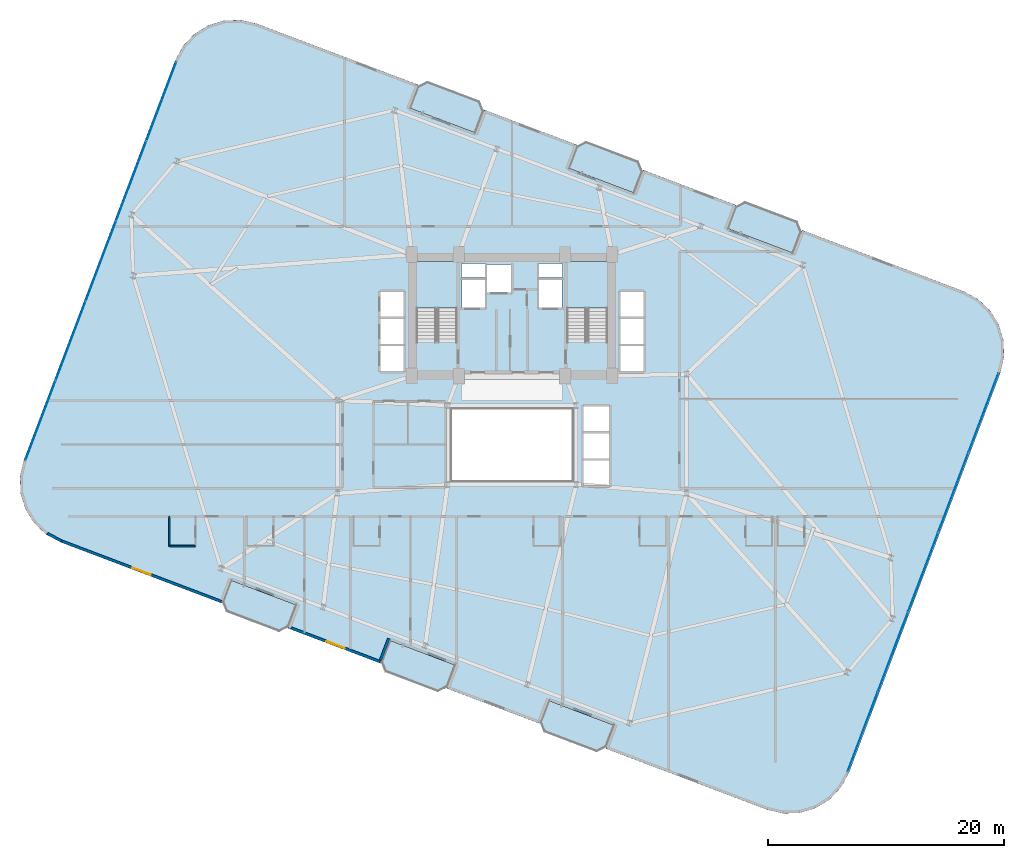
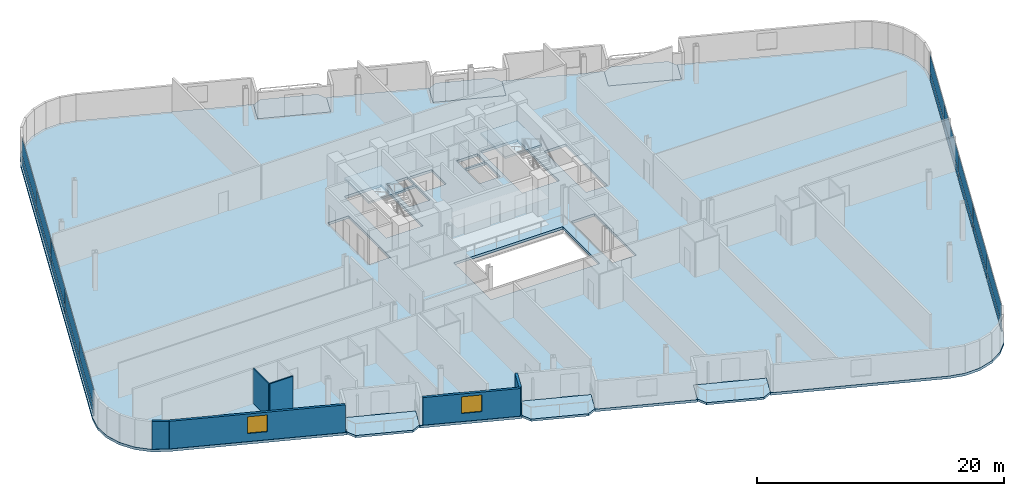
# One storey, part 16 of 25: 20 plates, 9 slabs, 6 walls, 2 windows, 2 openings, 4 elements without a shape of their own.
"""IFC4 building model written with IfcOpenShell, lengths in metres."""

from ifc_helpers import new_model, si_unit, direction, frame, frame_2d, origin, origin_2d, place, context, subcontext, project, spatial, polyline, rectangle, outline, extrude, source, transform, mapped, material, layer, layer_set, type_object, element, fill, aggregate, save


model = new_model("IFC4")

# Units and contexts
model_context = context("Model", 3, precision=1e-05, world=origin(), true_north=direction((0.0, 1.0)))
body_context = subcontext(model_context, "Body", "Model", "MODEL_VIEW")
ifc_project = project(units=[si_unit("LENGTHUNIT", "METRE"), si_unit("AREAUNIT", "SQUARE_METRE"), si_unit("VOLUMEUNIT", "CUBIC_METRE"), si_unit("PLANEANGLEUNIT", "RADIAN"), si_unit("MASSUNIT", "GRAM", prefix="KILO")], contexts=[model_context])

# Site, building, storey
site_placement = place(None, origin())
site = spatial("IfcSite", under=ifc_project, at=site_placement, CompositionType="ELEMENT")
building_placement = place(site_placement, origin())
building = spatial("IfcBuilding", under=site, at=building_placement, Name="Varnelok Gate Tower", CompositionType="ELEMENT")
storey_placement = place(building_placement, frame((0.0, 0.0, 79.89990234375)))
storey = spatial("IfcBuildingStorey", under=building, at=storey_placement, Name="L19", CompositionType="ELEMENT", Elevation=79.89990234375)

# Slabs
ifc_material_1 = material(Name="Concrete C45/55", Category="concrete")
ifc_layer_1 = layer(ifc_material_1, 0.219970703125)
ifc_layer_set_1 = layer_set([ifc_layer_1], Name="Concrete C45/55")
slab_type_1 = type_object("IfcSlabType", Name="SLB-BALC-220", PredefinedType="FLOOR", material=ifc_layer_set_1)
slab_1_placement = place(storey_placement, frame((0.0, 0.0, -0.219970703125)))
element("IfcSlab", 1, at=slab_1_placement, inside=storey, type_object=slab_type_1, Name="L19 South Hollow Balcony 1", PredefinedType="FLOOR", context=body_context, shape_type="SweptSolid", body=[
    extrude(outline(polyline([(14.64208984375, 9.576416015625), (15.019775390625, 8.738525390625), (19.415283203125, 7.074462890625), (20.25341796875, 7.4521484375), (20.96142578125, 9.322509765625), (15.35009765625, 11.447021484375), (14.64208984375, 9.576416015625)])), origin(), (0.0, 0.0, 1.0), 0.219970703125),
])
slab_2_placement = place(storey_placement, frame((0.0, 0.0, -0.219970703125)))
element("IfcSlab", 2, at=slab_2_placement, inside=storey, type_object=slab_type_1, Name="L19 South Hollow Balcony 2", PredefinedType="FLOOR", context=body_context, shape_type="SweptSolid", body=[
    extrude(outline(polyline([(28.109375, 4.47802734375), (28.487060546875, 3.639892578125), (32.882568359375, 1.975830078125), (33.720703125, 2.353515625), (34.4287109375, 4.22412109375), (28.8173828125, 6.348388671875), (28.109375, 4.47802734375)])), origin(), (0.0, 0.0, 1.0), 0.219970703125),
])
slab_3_placement = place(storey_placement, frame((0.0, 0.0, -0.219970703125)))
element("IfcSlab", 3, at=slab_3_placement, inside=storey, type_object=slab_type_1, Name="L19 South Hollow Balcony 3", PredefinedType="FLOOR", context=body_context, shape_type="SweptSolid", body=[
    extrude(outline(polyline([(41.576416015625, -0.62060546875), (41.9541015625, -1.45849609375), (46.349853515625, -3.12255859375), (47.187744140625, -2.744873046875), (47.89599609375, -0.87451171875), (42.28466796875, 1.25), (41.576416015625, -0.62060546875)])), origin(), (0.0, 0.0, 1.0), 0.219970703125),
])
slab_4_placement = place(storey_placement, frame((0.0, 0.0, -0.219970703125)))
element("IfcSlab", 4, at=slab_4_placement, inside=storey, type_object=slab_type_1, Name="L19 North Hollow Balcony 1", PredefinedType="FLOOR", context=body_context, shape_type="SweptSolid", body=[
    extrude(outline(polyline([(30.504150390625, 51.474365234375), (36.115478515625, 49.35009765625), (36.823486328125, 51.220458984375), (36.44580078125, 52.05859375), (32.05029296875, 53.72265625), (31.212158203125, 53.344970703125), (30.504150390625, 51.474365234375)])), origin(), (0.0, 0.0, 1.0), 0.219970703125),
])
slab_5_placement = place(storey_placement, frame((0.0, 0.0, -0.219970703125)))
element("IfcSlab", 5, at=slab_5_placement, inside=storey, type_object=slab_type_1, Name="L19 North Hollow Balcony 2", PredefinedType="FLOOR", context=body_context, shape_type="SweptSolid", body=[
    extrude(outline(polyline([(43.97119140625, 46.3759765625), (49.58251953125, 44.251708984375), (50.290771484375, 46.1220703125), (49.9130859375, 46.9599609375), (45.517333984375, 48.6240234375), (44.679443359375, 48.246337890625), (43.97119140625, 46.3759765625)])), origin(), (0.0, 0.0, 1.0), 0.219970703125),
])
slab_6_placement = place(storey_placement, frame((0.0, 0.0, -0.219970703125)))
element("IfcSlab", 6, at=slab_6_placement, inside=storey, type_object=slab_type_1, Name="L19 North Hollow Balcony 3", PredefinedType="FLOOR", context=body_context, shape_type="SweptSolid", body=[
    extrude(outline(polyline([(57.4384765625, 41.27734375), (63.0498046875, 39.153076171875), (63.7578125, 41.0234375), (63.380126953125, 41.861572265625), (58.984619140625, 43.525634765625), (58.146484375, 43.14794921875), (57.4384765625, 41.27734375)])), origin(), (0.0, 0.0, 1.0), 0.219970703125),
])

# Stair, slab
ifc_material_2 = material(Name="Concrete C50/60", Category="concrete")
stair_type = type_object("IfcStairType", Name="STR-CORE-1650", PredefinedType="HALF_TURN_STAIR", material=ifc_material_2)
stair_1_placement = place(storey_placement, origin())
stair_1 = element("IfcStair", 7, at=stair_1_placement, inside=storey, type_object=stair_type, Name="L19 Exit Stair ST-1", PredefinedType="HALF_TURN_STAIR")
ifc_layer_2 = layer(ifc_material_1, 0.199951171875)
ifc_layer_set_2 = layer_set([ifc_layer_2], Name="Concrete C45/55")
slab_type_2 = type_object("IfcSlabType", Name="SLB-LAND-200", PredefinedType="LANDING", material=ifc_layer_set_2)
slab_7_placement = place(storey_placement, frame((0.0, 0.0, 1.650146484375)))
slab_7 = element("IfcSlab", 8, at=slab_7_placement, type_object=slab_type_2, Name="ST-1 landing 1", PredefinedType="LANDING", context=body_context, shape_type="SweptSolid", body=[
    extrude(outline(polyline([(34.550048828125, 34.5), (34.550048828125, 38.449951171875), (31.10009765625, 38.449951171875), (31.10009765625, 34.5), (34.550048828125, 34.5)])), origin(), (0.0, 0.0, 1.0), 0.199951171875),
])
aggregate(stair_1, [slab_7])

stair_2_placement = place(storey_placement, origin())
stair_2 = element("IfcStair", 9, at=stair_2_placement, inside=storey, type_object=stair_type, Name="L19 Exit Stair ST-2", PredefinedType="HALF_TURN_STAIR")
slab_8_placement = place(storey_placement, frame((0.0, 0.0, 1.650146484375)))
slab_8 = element("IfcSlab", 10, at=slab_8_placement, type_object=slab_type_2, Name="ST-2 landing 1", PredefinedType="LANDING", context=body_context, shape_type="SweptSolid", body=[
    extrude(outline(polyline([(47.300048828125, 34.5), (47.300048828125, 38.449951171875), (43.85009765625, 38.449951171875), (43.85009765625, 34.5), (47.300048828125, 34.5)])), origin(), (0.0, 0.0, 1.0), 0.199951171875),
])
aggregate(stair_2, [slab_8])

# Slab
ifc_layer_3 = layer(ifc_material_2, 0.25)
ifc_layer_set_3 = layer_set([ifc_layer_3], Name="Concrete C50/60")
slab_type_3 = type_object("IfcSlabType", Name="SLB-TYP-250", PredefinedType="FLOOR", material=ifc_layer_set_3)
slab_9_placement = place(storey_placement, frame((0.0, 0.0, -0.25)))
element("IfcSlab", 11, at=slab_9_placement, inside=storey, type_object=slab_type_3, Name="L19 Structural Floor Slab", PredefinedType="FLOOR", context=body_context, shape_type="SweptSolid", body=[
    extrude(outline(polyline([(-2.185791015625, 21.614501953125), (-2.508544921875, 20.2421875), (-2.465087890625, 18.833251953125), (-2.05859375, 17.4833984375), (-1.31640625, 16.284912109375), (-0.28955078125, 15.319091796875), (0.952392578125, 14.65234375), (12.05029296875, 10.45068359375), (14.606689453125, 9.48291015625), (15.35009765625, 11.447021484375), (20.96142578125, 9.322509765625), (20.218017578125, 7.358642578125), (28.073974609375, 4.384521484375), (28.8173828125, 6.348388671875), (34.4287109375, 4.22412109375), (33.685302734375, 2.260009765625), (41.541015625, -0.714111328125), (42.28466796875, 1.25), (47.89599609375, -0.87451171875), (47.15234375, -2.83837890625), (49.708740234375, -3.80615234375), (60.806640625, -8.0078125), (62.1787109375, -8.33056640625), (63.587890625, -8.287109375), (64.937744140625, -7.880615234375), (66.13623046875, -7.138427734375), (67.101806640625, -6.111328125), (67.768798828125, -4.869384765625), (80.585693359375, 28.985595703125), (80.90869140625, 30.35791015625), (80.865234375, 31.766845703125), (80.45849609375, 33.11669921875), (79.716552734375, 34.315185546875), (78.689453125, 35.28076171875), (77.447509765625, 35.94775390625), (66.349609375, 40.1494140625), (63.793212890625, 41.116943359375), (63.0498046875, 39.153076171875), (57.4384765625, 41.27734375), (58.181884765625, 43.241455078125), (50.326171875, 46.215576171875), (49.58251953125, 44.251708984375), (43.97119140625, 46.3759765625), (44.71484375, 48.33984375), (36.85888671875, 51.31396484375), (36.115478515625, 49.35009765625), (30.504150390625, 51.474365234375), (31.24755859375, 53.4384765625), (28.69140625, 54.40625), (17.593505859375, 58.607666015625), (16.22119140625, 58.930419921875), (14.81201171875, 58.886962890625), (13.46240234375, 58.48046875), (12.263916015625, 57.73828125), (11.298095703125, 56.71142578125), (10.631103515625, 55.469482421875), (-2.185791015625, 21.614501953125)]), holes=[polyline([(34.550048828125, 31.679931640625), (34.550048828125, 38.449951171875), (31.10009765625, 38.449951171875), (31.10009765625, 31.679931640625), (34.550048828125, 31.679931640625)]), polyline([(47.300048828125, 31.679931640625), (47.300048828125, 38.449951171875), (43.85009765625, 38.449951171875), (43.85009765625, 31.679931640625), (47.300048828125, 31.679931640625)]), polyline([(34.949951171875, 34.550048828125), (36.89990234375, 34.550048828125), (36.89990234375, 36.89990234375), (34.949951171875, 36.89990234375), (34.949951171875, 34.550048828125)]), polyline([(41.5, 34.550048828125), (43.449951171875, 34.550048828125), (43.449951171875, 36.89990234375), (41.5, 36.89990234375), (41.5, 34.550048828125)]), polyline([(37.050048828125, 35.85009765625), (39.14990234375, 35.85009765625), (39.14990234375, 38.199951171875), (37.050048828125, 38.199951171875), (37.050048828125, 35.85009765625)]), polyline([(28.050048828125, 29.14990234375), (30.050048828125, 29.14990234375), (30.050048828125, 35.89990234375), (28.050048828125, 35.89990234375), (28.050048828125, 29.14990234375)]), polyline([(48.35009765625, 29.14990234375), (50.35009765625, 29.14990234375), (50.35009765625, 35.89990234375), (48.35009765625, 35.89990234375), (48.35009765625, 29.14990234375)]), polyline([(45.25, 19.449951171875), (47.449951171875, 19.449951171875), (47.449951171875, 26.199951171875), (45.25, 26.199951171875), (45.25, 19.449951171875)]), polyline([(34.919921875, 37.080078125), (36.89990234375, 37.080078125), (36.89990234375, 38.280029296875), (34.919921875, 38.280029296875), (34.919921875, 37.080078125)]), polyline([(41.5, 37.080078125), (43.47998046875, 37.080078125), (43.47998046875, 38.280029296875), (41.5, 38.280029296875), (41.5, 37.080078125)]), polyline([(34.10009765625, 19.89990234375), (44.300048828125, 19.89990234375), (44.300048828125, 25.89990234375), (34.10009765625, 25.89990234375), (34.10009765625, 19.89990234375)])]), origin(), (0.0, 0.0, 1.0), 0.25),
])

# Curtain wall, plates
ifc_material_3 = material(Name="Anodized Aluminum Alloy 6063-T6", Category="aluminium")
ifc_layer_4 = layer(ifc_material_3, 0.179931640625)
ifc_layer_set_4 = layer_set([ifc_layer_4], Name="Anodized Aluminum Alloy 6063-T6")
curtain_wall_type = type_object("IfcCurtainWallType", Name="CW3-HOTEL-VISION", PredefinedType="USERDEFINED", material=ifc_layer_set_4)
curtain_wall_1_placement = place(storey_placement, origin())
curtain_wall_1 = element("IfcCurtainWall", 12, at=curtain_wall_1_placement, inside=storey, type_object=curtain_wall_type, Name="L19 West End Vision Curtain Wall", ObjectType="UNITISED CURTAIN WALL", PredefinedType="USERDEFINED")
ifc_material_4 = material(Name="Low-E Laminated Double Glazing IGU", Category="glass")
ifc_layer_5 = layer(ifc_material_4, 0.031982421875)
ifc_layer_set_5 = layer_set([ifc_layer_5], Name="Low-E Laminated Double Glazing IGU")
plate_type = type_object("IfcPlateType", Name="CW-PNL-IGU32", PredefinedType="CURTAIN_PANEL", material=ifc_layer_set_5)
shared_shape_1 = source(origin(), body_context, "Body", "SweptSolid", [
    extrude(rectangle(XDim=7.142578125, YDim=0.031982421875, at=origin_2d()), origin(), (0.0, 0.0, 1.0), 0.802490234375),
])
plate_1_placement = place(storey_placement, frame((-0.767333984375, 24.965576171875, 0.06494140625), z_axis=(0.0, 0.0, 1.0), x_axis=(0.354063660545, 0.935221323688, 0.0)))
plate_1 = element("IfcPlate", 13, at=plate_1_placement, type_object=plate_type, Name="CW3 panel 1.1", PredefinedType="CURTAIN_PANEL", context=body_context, shape_type="MappedRepresentation", body=[
    mapped(shared_shape_1, transform((0.0, 0.0, 0.0), scale=1.0)),
])
plate_2_placement = place(storey_placement, frame((9.474853515625, 52.019287109375, 0.06494140625), z_axis=(0.0, 0.0, 1.0), x_axis=(0.354063660545, 0.935221323688, 0.0)))
plate_2 = element("IfcPlate", 14, at=plate_2_placement, type_object=plate_type, Name="CW3 panel 5.1", PredefinedType="CURTAIN_PANEL", context=body_context, shape_type="MappedRepresentation", body=[
    mapped(shared_shape_1, transform((0.0, 0.0, 0.0), scale=1.0)),
])

curtain_wall_2_placement = place(storey_placement, origin())
curtain_wall_2 = element("IfcCurtainWall", 15, at=curtain_wall_2_placement, inside=storey, type_object=curtain_wall_type, Name="L19 East End Vision Curtain Wall", ObjectType="UNITISED CURTAIN WALL", PredefinedType="USERDEFINED")
plate_3_placement = place(storey_placement, frame((79.16748046875, 25.634521484375, 0.06494140625), z_axis=(0.0, 0.0, 1.0), x_axis=(-0.354063660545, -0.935221323688, 0.0)))
plate_3 = element("IfcPlate", 16, at=plate_3_placement, type_object=plate_type, Name="CW3 panel 1.1", PredefinedType="CURTAIN_PANEL", context=body_context, shape_type="MappedRepresentation", body=[
    mapped(shared_shape_1, transform((0.0, 0.0, 0.0), scale=1.0)),
])
plate_4_placement = place(storey_placement, frame((68.92529296875, -1.419189453125, 0.06494140625), z_axis=(0.0, 0.0, 1.0), x_axis=(-0.354063660545, -0.935221323688, 0.0)))
plate_4 = element("IfcPlate", 17, at=plate_4_placement, type_object=plate_type, Name="CW3 panel 5.1", PredefinedType="CURTAIN_PANEL", context=body_context, shape_type="MappedRepresentation", body=[
    mapped(shared_shape_1, transform((0.0, 0.0, 0.0), scale=1.0)),
])

# Plate
shared_shape_2 = source(origin(), body_context, "Body", "SweptSolid", [
    extrude(rectangle(XDim=7.142578125, YDim=0.031982421875, at=origin_2d()), origin(), (0.0, 0.0, 1.0), 1.732421875),
])
plate_5_placement = place(storey_placement, frame((-0.767333984375, 24.965576171875, 0.9326171875), z_axis=(0.0, 0.0, 1.0), x_axis=(0.354063660545, 0.935221323688, 0.0)))
plate_5 = element("IfcPlate", 18, at=plate_5_placement, type_object=plate_type, Name="CW3 panel 1.2", PredefinedType="CURTAIN_PANEL", context=body_context, shape_type="MappedRepresentation", body=[
    mapped(shared_shape_2, transform((0.0, 0.0, 0.0), scale=1.0)),
])

plate_6_placement = place(storey_placement, frame((9.474853515625, 52.019287109375, 0.9326171875), z_axis=(0.0, 0.0, 1.0), x_axis=(0.354063660545, 0.935221323688, 0.0)))
plate_6 = element("IfcPlate", 19, at=plate_6_placement, type_object=plate_type, Name="CW3 panel 5.2", PredefinedType="CURTAIN_PANEL", context=body_context, shape_type="MappedRepresentation", body=[
    mapped(shared_shape_2, transform((0.0, 0.0, 0.0), scale=1.0)),
])

plate_7_placement = place(storey_placement, frame((79.16748046875, 25.634521484375, 0.9326171875), z_axis=(0.0, 0.0, 1.0), x_axis=(-0.354063660545, -0.935221323688, 0.0)))
plate_7 = element("IfcPlate", 20, at=plate_7_placement, type_object=plate_type, Name="CW3 panel 1.2", PredefinedType="CURTAIN_PANEL", context=body_context, shape_type="MappedRepresentation", body=[
    mapped(shared_shape_2, transform((0.0, 0.0, 0.0), scale=1.0)),
])

plate_8_placement = place(storey_placement, frame((68.92529296875, -1.419189453125, 0.9326171875), z_axis=(0.0, 0.0, 1.0), x_axis=(-0.354063660545, -0.935221323688, 0.0)))
plate_8 = element("IfcPlate", 21, at=plate_8_placement, type_object=plate_type, Name="CW3 panel 5.2", PredefinedType="CURTAIN_PANEL", context=body_context, shape_type="MappedRepresentation", body=[
    mapped(shared_shape_2, transform((0.0, 0.0, 0.0), scale=1.0)),
])

shared_shape_3 = source(origin(), body_context, "Body", "SweptSolid", [
    extrude(rectangle(XDim=7.175048828125, YDim=0.031982421875, at=origin_2d()), origin(), (0.0, 0.0, 1.0), 0.802490234375),
])
plate_9_placement = place(storey_placement, frame((1.790283203125, 31.721435546875, 0.06494140625), z_axis=(0.0, 0.0, 1.0), x_axis=(0.354063660545, 0.935221323688, 0.0)))
plate_9 = element("IfcPlate", 22, at=plate_9_placement, type_object=plate_type, Name="CW3 panel 2.1", PredefinedType="CURTAIN_PANEL", context=body_context, shape_type="MappedRepresentation", body=[
    mapped(shared_shape_3, transform((0.0, 0.0, 0.0), scale=1.0)),
])

plate_10_placement = place(storey_placement, frame((4.353759765625, 38.492431640625, 0.06494140625), z_axis=(0.0, 0.0, 1.0), x_axis=(0.354063660545, 0.935221323688, 0.0)))
plate_10 = element("IfcPlate", 23, at=plate_10_placement, type_object=plate_type, Name="CW3 panel 3.1", PredefinedType="CURTAIN_PANEL", context=body_context, shape_type="MappedRepresentation", body=[
    mapped(shared_shape_3, transform((0.0, 0.0, 0.0), scale=1.0)),
])

plate_11_placement = place(storey_placement, frame((6.9169921875, 45.263427734375, 0.06494140625), z_axis=(0.0, 0.0, 1.0), x_axis=(0.354063660545, 0.935221323688, 0.0)))
plate_11 = element("IfcPlate", 24, at=plate_11_placement, type_object=plate_type, Name="CW3 panel 4.1", PredefinedType="CURTAIN_PANEL", context=body_context, shape_type="MappedRepresentation", body=[
    mapped(shared_shape_3, transform((0.0, 0.0, 0.0), scale=1.0)),
])

plate_12_placement = place(storey_placement, frame((76.60986328125, 18.878662109375, 0.06494140625), z_axis=(0.0, 0.0, 1.0), x_axis=(-0.354063660545, -0.935221323688, 0.0)))
plate_12 = element("IfcPlate", 25, at=plate_12_placement, type_object=plate_type, Name="CW3 panel 2.1", PredefinedType="CURTAIN_PANEL", context=body_context, shape_type="MappedRepresentation", body=[
    mapped(shared_shape_3, transform((0.0, 0.0, 0.0), scale=1.0)),
])

plate_13_placement = place(storey_placement, frame((74.04638671875, 12.107666015625, 0.06494140625), z_axis=(0.0, 0.0, 1.0), x_axis=(-0.354063660545, -0.935221323688, 0.0)))
plate_13 = element("IfcPlate", 26, at=plate_13_placement, type_object=plate_type, Name="CW3 panel 3.1", PredefinedType="CURTAIN_PANEL", context=body_context, shape_type="MappedRepresentation", body=[
    mapped(shared_shape_3, transform((0.0, 0.0, 0.0), scale=1.0)),
])

plate_14_placement = place(storey_placement, frame((71.48291015625, 5.336669921875, 0.06494140625), z_axis=(0.0, 0.0, 1.0), x_axis=(-0.354063660545, -0.935221323688, 0.0)))
plate_14 = element("IfcPlate", 27, at=plate_14_placement, type_object=plate_type, Name="CW3 panel 4.1", PredefinedType="CURTAIN_PANEL", context=body_context, shape_type="MappedRepresentation", body=[
    mapped(shared_shape_3, transform((0.0, 0.0, 0.0), scale=1.0)),
])

shared_shape_4 = source(origin(), body_context, "Body", "SweptSolid", [
    extrude(rectangle(XDim=7.175048828125, YDim=0.031982421875, at=origin_2d()), origin(), (0.0, 0.0, 1.0), 1.732421875),
])
plate_15_placement = place(storey_placement, frame((1.790283203125, 31.721435546875, 0.9326171875), z_axis=(0.0, 0.0, 1.0), x_axis=(0.354063660545, 0.935221323688, 0.0)))
plate_15 = element("IfcPlate", 28, at=plate_15_placement, type_object=plate_type, Name="CW3 panel 2.2", PredefinedType="CURTAIN_PANEL", context=body_context, shape_type="MappedRepresentation", body=[
    mapped(shared_shape_4, transform((0.0, 0.0, 0.0), scale=1.0)),
])

plate_16_placement = place(storey_placement, frame((4.353759765625, 38.492431640625, 0.9326171875), z_axis=(0.0, 0.0, 1.0), x_axis=(0.354063660545, 0.935221323688, 0.0)))
plate_16 = element("IfcPlate", 29, at=plate_16_placement, type_object=plate_type, Name="CW3 panel 3.2", PredefinedType="CURTAIN_PANEL", context=body_context, shape_type="MappedRepresentation", body=[
    mapped(shared_shape_4, transform((0.0, 0.0, 0.0), scale=1.0)),
])

plate_17_placement = place(storey_placement, frame((6.9169921875, 45.263427734375, 0.9326171875), z_axis=(0.0, 0.0, 1.0), x_axis=(0.354063660545, 0.935221323688, 0.0)))
plate_17 = element("IfcPlate", 30, at=plate_17_placement, type_object=plate_type, Name="CW3 panel 4.2", PredefinedType="CURTAIN_PANEL", context=body_context, shape_type="MappedRepresentation", body=[
    mapped(shared_shape_4, transform((0.0, 0.0, 0.0), scale=1.0)),
])

aggregate(curtain_wall_1, [plate_1, plate_5, plate_9, plate_15, plate_10, plate_16, plate_11, plate_17, plate_2, plate_6])

plate_18_placement = place(storey_placement, frame((76.60986328125, 18.878662109375, 0.9326171875), z_axis=(0.0, 0.0, 1.0), x_axis=(-0.354063660545, -0.935221323688, 0.0)))
plate_18 = element("IfcPlate", 31, at=plate_18_placement, type_object=plate_type, Name="CW3 panel 2.2", PredefinedType="CURTAIN_PANEL", context=body_context, shape_type="MappedRepresentation", body=[
    mapped(shared_shape_4, transform((0.0, 0.0, 0.0), scale=1.0)),
])

plate_19_placement = place(storey_placement, frame((74.04638671875, 12.107666015625, 0.9326171875), z_axis=(0.0, 0.0, 1.0), x_axis=(-0.354063660545, -0.935221323688, 0.0)))
plate_19 = element("IfcPlate", 32, at=plate_19_placement, type_object=plate_type, Name="CW3 panel 3.2", PredefinedType="CURTAIN_PANEL", context=body_context, shape_type="MappedRepresentation", body=[
    mapped(shared_shape_4, transform((0.0, 0.0, 0.0), scale=1.0)),
])

plate_20_placement = place(storey_placement, frame((71.48291015625, 5.336669921875, 0.9326171875), z_axis=(0.0, 0.0, 1.0), x_axis=(-0.354063660545, -0.935221323688, 0.0)))
plate_20 = element("IfcPlate", 33, at=plate_20_placement, type_object=plate_type, Name="CW3 panel 4.2", PredefinedType="CURTAIN_PANEL", context=body_context, shape_type="MappedRepresentation", body=[
    mapped(shared_shape_4, transform((0.0, 0.0, 0.0), scale=1.0)),
])

aggregate(curtain_wall_2, [plate_3, plate_7, plate_12, plate_18, plate_13, plate_19, plate_14, plate_20, plate_4, plate_8])

# Wall
ifc_layer_6 = layer(ifc_material_1, 0.219970703125)
ifc_layer_set_6 = layer_set([ifc_layer_6], Name="Concrete C45/55")
wall_type_1 = type_object("IfcWallType", Name="EW-BALC-220", PredefinedType="SOLIDWALL", material=ifc_layer_set_6)
wall_1_placement = place(storey_placement, frame((-0.19677734375, 15.405517578125, 0.0), z_axis=(0.0, 0.0, 1.0), x_axis=(0.881023507585, -0.47307248819, 0.0)))
element("IfcWall", 34, at=wall_1_placement, inside=storey, type_object=wall_type_1, Name="L19 Perimeter Facade Closure Wall 6", PredefinedType="SOLIDWALL", context=body_context, shape_type="SweptSolid", body=[
    extrude(rectangle(XDim=1.36083984375, YDim=0.219970703125, at=frame_2d((0.680419921875, 0.0))), origin(), (0.0, 0.0, 1.0), 2.72998046875),
])

# Wall, opening, window
wall_2_placement = place(storey_placement, frame((1.025634765625, 14.7529296875, 0.0), z_axis=(0.0, 0.0, 1.0), x_axis=(0.935222448475, -0.354060689526, 0.0)))
wall_2 = element("IfcWall", 35, at=wall_2_placement, inside=storey, type_object=wall_type_1, Name="L19 Perimeter Facade Closure Wall 7", PredefinedType="SOLIDWALL", context=body_context, shape_type="SweptSolid", body=[
    extrude(rectangle(XDim=14.447265625, YDim=0.219970703125, at=frame_2d((7.2236328125, 0.0))), origin(), (0.0, 0.0, 1.0), 2.72998046875),
])
opening_1_placement = place(wall_2_placement, frame((6.398681640625, 0.0, 0.800048828125)))
opening_1 = element("IfcOpeningElement", 36, at=opening_1_placement, cuts=wall_2, Name="Opening WN3", PredefinedType="OPENING", context=body_context, shape_type="SweptSolid", body=[
    extrude(rectangle(XDim=1.64990234375, YDim=1.64990234375, at=frame_2d((0.824951171875, 0.824951171875))), frame((0.0, 0.119873046875, 0.0), z_axis=(0.0, -1.0, 0.0), x_axis=(1.0, 0.0, 0.0)), (0.0, 0.0, 1.0), 0.239990234375),
])
window_type = type_object("IfcWindowType", Name="WN-HTL-1650", PartitioningType="SINGLE_PANEL", PredefinedType="WINDOW", material=ifc_material_4)
window_1_placement = place(opening_1_placement, origin())
window_1 = element("IfcWindow", 37, at=window_1_placement, inside=storey, type_object=window_type, Name="L19 Perimeter Vision Window 7", OverallHeight=1.64990234375, OverallWidth=1.64990234375, PartitioningType="SINGLE_PANEL", PredefinedType="WINDOW", context=body_context, shape_type="SweptSolid", body=[
    extrude(rectangle(XDim=1.64990234375, YDim=1.64990234375, at=frame_2d((0.824951171875, 0.824951171875))), frame((0.0, 0.030029296875, 0.0), z_axis=(0.0, -1.0, 0.0), x_axis=(1.0, 0.0, 0.0)), (0.0, 0.0, 1.0), 0.06005859375),
])
fill(opening_1, window_1)

wall_3_placement = place(storey_placement, frame((20.489501953125, 7.384033203125, 0.0), z_axis=(0.0, 0.0, 1.0), x_axis=(0.935230796934, -0.354038636968, 0.0)))
wall_3 = element("IfcWall", 38, at=wall_3_placement, inside=storey, type_object=wall_type_1, Name="L19 Perimeter Facade Closure Wall 10", PredefinedType="SOLIDWALL", context=body_context, shape_type="SweptSolid", body=[
    extrude(rectangle(XDim=8.03515625, YDim=0.219970703125, at=frame_2d((4.017578125, 0.0))), origin(), (0.0, 0.0, 1.0), 2.72998046875),
])
opening_2_placement = place(wall_3_placement, frame((3.1923828125, 0.0, 0.800048828125)))
opening_2 = element("IfcOpeningElement", 39, at=opening_2_placement, cuts=wall_3, Name="Opening WN3", PredefinedType="OPENING", context=body_context, shape_type="SweptSolid", body=[
    extrude(rectangle(XDim=1.64990234375, YDim=1.64990234375, at=frame_2d((0.824951171875, 0.824951171875))), frame((0.0, 0.119873046875, 0.0), z_axis=(0.0, -1.0, 0.0), x_axis=(1.0, 0.0, 0.0)), (0.0, 0.0, 1.0), 0.239990234375),
])
window_2_placement = place(opening_2_placement, origin())
window_2 = element("IfcWindow", 40, at=window_2_placement, inside=storey, type_object=window_type, Name="L19 Perimeter Vision Window 10", OverallHeight=1.64990234375, OverallWidth=1.64990234375, PartitioningType="SINGLE_PANEL", PredefinedType="WINDOW", context=body_context, shape_type="SweptSolid", body=[
    extrude(rectangle(XDim=1.64990234375, YDim=1.64990234375, at=frame_2d((0.824951171875, 0.824951171875))), frame((0.0, 0.030029296875, 0.0), z_axis=(0.0, -1.0, 0.0), x_axis=(1.0, 0.0, 0.0)), (0.0, 0.0, 1.0), 0.06005859375),
])
fill(opening_2, window_2)

# Walls
wall_4_placement = place(storey_placement, frame((28.04833984375, 4.656005859375, 0.0), z_axis=(0.0, 0.0, 1.0), x_axis=(0.354128791944, 0.935196663123, 0.0)))
element("IfcWall", 41, at=wall_4_placement, inside=storey, type_object=wall_type_1, Name="L19 Perimeter Facade Closure Wall 11", PredefinedType="SOLIDWALL", context=body_context, shape_type="SweptSolid", body=[
    extrude(rectangle(XDim=1.97509765625, YDim=0.219970703125, at=frame_2d((0.987548828125, 0.0))), origin(), (0.0, 0.0, 1.0), 2.72998046875),
])
ifc_material_5 = material(Name="Gypsum Plasterboard Acoustic Partition", Category="gypsum")
ifc_layer_7 = layer(ifc_material_5, 0.114990234375)
ifc_layer_set_7 = layer_set([ifc_layer_7], Name="Gypsum Plasterboard Acoustic Partition")
wall_type_2 = type_object("IfcWallType", Name="PW-ENS-125", PredefinedType="PARTITIONING", material=ifc_layer_set_7)
wall_5_placement = place(storey_placement, frame((10.179931640625, 14.330078125, 0.0), z_axis=(0.0, 0.0, 1.0), x_axis=(1.0, 0.0, 0.0)))
element("IfcWall", 42, at=wall_5_placement, inside=storey, type_object=wall_type_2, Name="Interior Partition", PredefinedType="PARTITIONING", context=body_context, shape_type="SweptSolid", body=[
    extrude(rectangle(XDim=2.150146484375, YDim=0.114990234375, at=frame_2d((1.0751953125, 0.0))), origin(), (0.0, 0.0, 1.0), 3.4501953125),
])
wall_6_placement = place(storey_placement, frame((10.139892578125, 14.330078125, 0.0), z_axis=(0.0, 0.0, 1.0), x_axis=(0.0, 1.0, 0.0)))
element("IfcWall", 43, at=wall_6_placement, inside=storey, type_object=wall_type_2, Name="Interior Partition", PredefinedType="PARTITIONING", context=body_context, shape_type="SweptSolid", body=[
    extrude(rectangle(XDim=2.52001953125, YDim=0.114990234375, at=frame_2d((1.260009765625, 0.0))), origin(), (0.0, 0.0, 1.0), 3.4501953125),
])

save(model, "model.ifc")
